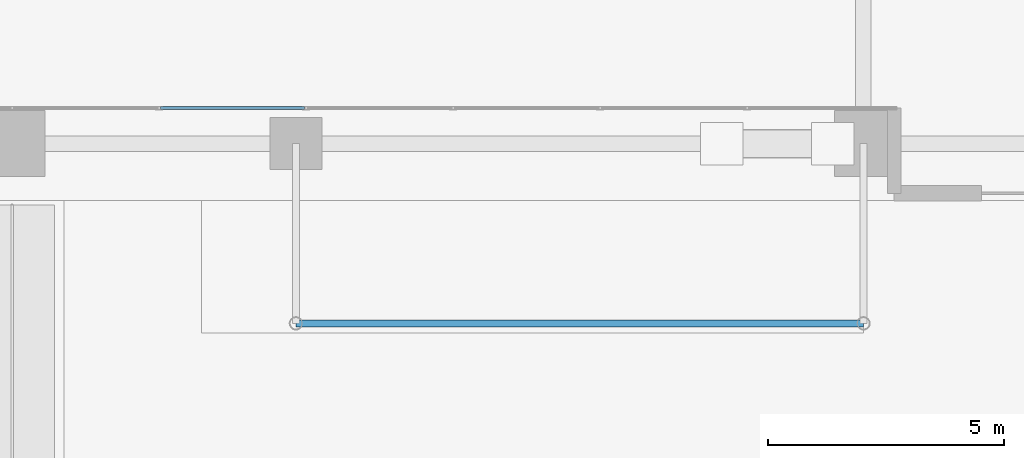
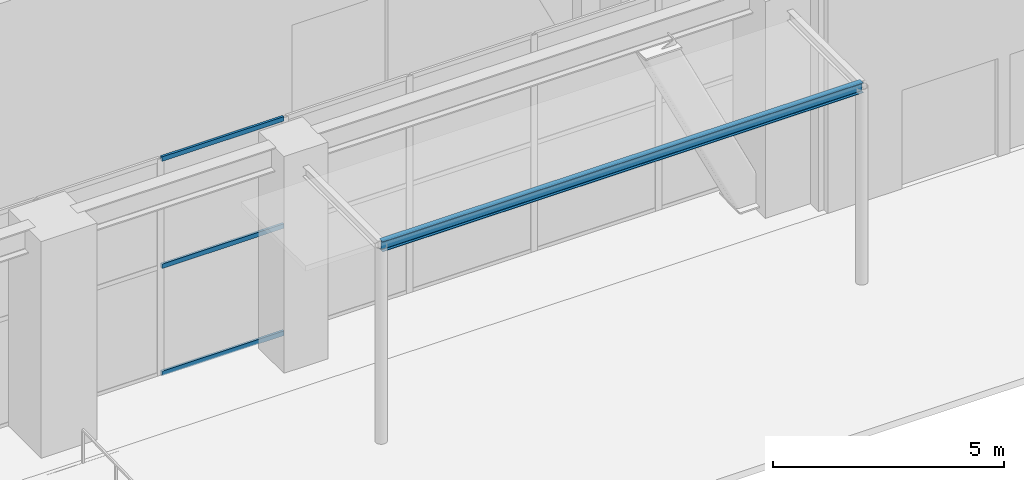
# One storey, part 17 of 49: 3 members, 1 beam, 1 element without a shape of its own.
"""IFC4 building model written with IfcOpenShell, lengths in metres."""

from ifc_helpers import new_model, si_unit, direction, frame, origin, origin_2d, place, context, subcontext, project, spatial, hollow_rectangle, i_section, extrude, material, layer, layer_set, material_profile, profile_set, type_object, element, aggregate, save


model = new_model("IFC4")

# Units and contexts
model_context = context("Model", 3, precision=1e-05, world=origin(), true_north=direction((0.0, 1.0)))
body_context = subcontext(model_context, "Body", "Model", "MODEL_VIEW")
ifc_project = project(units=[si_unit("LENGTHUNIT", "METRE"), si_unit("AREAUNIT", "SQUARE_METRE"), si_unit("VOLUMEUNIT", "CUBIC_METRE"), si_unit("PLANEANGLEUNIT", "RADIAN"), si_unit("MASSUNIT", "GRAM", prefix="KILO")], contexts=[model_context])

# Site, building, storey
site_placement = place(None, origin())
site = spatial("IfcSite", under=ifc_project, at=site_placement, CompositionType="ELEMENT")
building_placement = place(site_placement, origin())
building = spatial("IfcBuilding", under=site, at=building_placement, Name="Sarneth Arch Tower", CompositionType="ELEMENT")
storey_placement = place(building_placement, origin())
storey = spatial("IfcBuildingStorey", under=building, at=storey_placement, Name="L00", CompositionType="ELEMENT", Elevation=0.0)

# Beam
ifc_material_1 = material(Name="Steel S355", Category="steel")
ifc_material_profile_1 = material_profile(ifc_material_1, i_section(OverallWidth=0.14794921875, OverallDepth=0.26611328125, WebThickness=0.007568359375, FlangeThickness=0.012939453125, FilletRadius=0.012939453125, at=origin_2d()), Name="W250x44.8")
ifc_profile_set_1 = profile_set([ifc_material_profile_1], Name="Steel S355")
beam_type = type_object("IfcBeamType", Name="BM-JOIST-250", PredefinedType="JOIST", material=ifc_profile_set_1)
beam_placement = place(storey_placement, frame((54.0, 5.39990234375, 5.159912109375), z_axis=(1.0, 0.0, 0.0), x_axis=(0.0, 1.0, 0.0)))
element("IfcBeam", 1, at=beam_placement, inside=storey, type_object=beam_type, Name="Entrance canopy edge beam SOUTH-E.1", PredefinedType="JOIST", context=body_context, shape_type="SweptSolid", body=[
    extrude(i_section(OverallWidth=0.14794921875, OverallDepth=0.26611328125, WebThickness=0.007568359375, FlangeThickness=0.012939453125, FilletRadius=0.012939453125, at=origin_2d()), origin(), (0.0, 0.0, 1.0), 12.0),
])

# Curtain wall, members
ifc_material_2 = material(Name="Anodised aluminium Type AA25 and solar-control low-e laminated IGU", Category="aluminium")
ifc_layer = layer(ifc_material_2, 0.199951171875)
ifc_layer_set = layer_set([ifc_layer], Name="Anodised aluminium Type AA25 and solar-control low-e laminated IGU")
curtain_wall_type = type_object("IfcCurtainWallType", Name="CW-ARCH-GLAZE", PredefinedType="NOTDEFINED", material=ifc_layer_set)
curtain_wall_placement = place(storey_placement, origin())
curtain_wall = element("IfcCurtainWall", 2, at=curtain_wall_placement, inside=storey, type_object=curtain_wall_type, Name="L00 South parabolic arch portal curtain wall", PredefinedType="NOTDEFINED")
ifc_material_3 = material(Name="Anodised Aluminium 6063-T6", Category="aluminium")
ifc_material_profile_2 = material_profile(ifc_material_3, hollow_rectangle(XDim=0.06005859375, YDim=0.1201171875, WallThickness=0.00390625, at=origin_2d()), Name="AL-TRAN-120x60x4")
ifc_profile_set_2 = profile_set([ifc_material_profile_2], Name="Anodised Aluminium 6063-T6")
member_type = type_object("IfcMemberType", Name="CW-TRANSOM", PredefinedType="USERDEFINED", material=ifc_profile_set_2)
member_1_placement = place(storey_placement, frame((51.138427734375, 9.949951171875, 0.030029296875), z_axis=(1.0, 0.0, 0.0), x_axis=(0.0, 1.0, 0.0)))
member_1 = element("IfcMember", 3, at=member_1_placement, type_object=member_type, Name="CW-SYS-2 transom 8.1", ObjectType="TRANSOM", PredefinedType="USERDEFINED", context=body_context, shape_type="SweptSolid", body=[
    extrude(hollow_rectangle(XDim=0.06005859375, YDim=0.1201171875, WallThickness=0.00390625, at=origin_2d()), origin(), (0.0, 0.0, 1.0), 3.04833984375),
])
member_2_placement = place(storey_placement, frame((51.138427734375, 9.949951171875, 2.860107421875), z_axis=(1.0, 0.0, 0.0), x_axis=(0.0, 1.0, 0.0)))
member_2 = element("IfcMember", 4, at=member_2_placement, type_object=member_type, Name="CW-SYS-2 transom 8.2", ObjectType="TRANSOM", PredefinedType="USERDEFINED", context=body_context, shape_type="SweptSolid", body=[
    extrude(hollow_rectangle(XDim=0.06005859375, YDim=0.1201171875, WallThickness=0.00390625, at=origin_2d()), origin(), (0.0, 0.0, 1.0), 3.04833984375),
])
member_3_placement = place(storey_placement, frame((51.138427734375, 9.949951171875, 5.68994140625), z_axis=(1.0, 0.0, 0.0), x_axis=(0.0, 1.0, 0.0)))
member_3 = element("IfcMember", 5, at=member_3_placement, type_object=member_type, Name="CW-SYS-2 transom 8.3", ObjectType="TRANSOM", PredefinedType="USERDEFINED", context=body_context, shape_type="SweptSolid", body=[
    extrude(hollow_rectangle(XDim=0.06005859375, YDim=0.1201171875, WallThickness=0.00390625, at=origin_2d()), origin(), (0.0, 0.0, 1.0), 3.04833984375),
])
aggregate(curtain_wall, [member_1, member_2, member_3])

save(model, "model.ifc")
